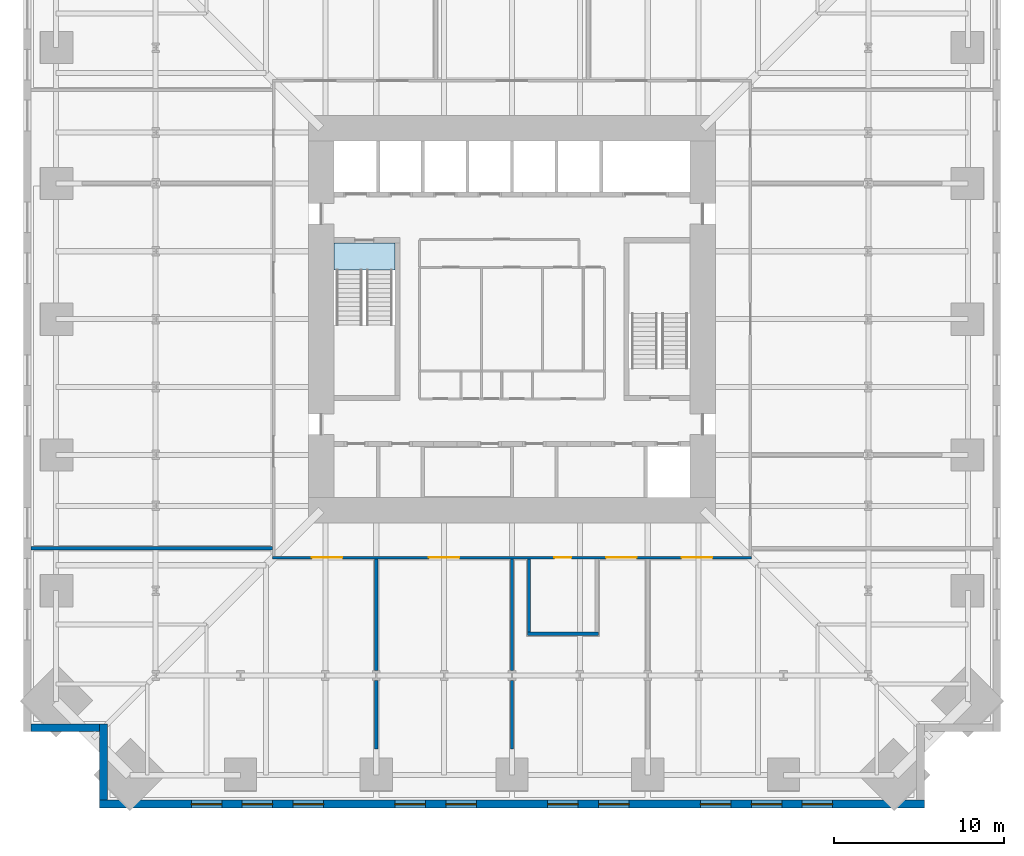
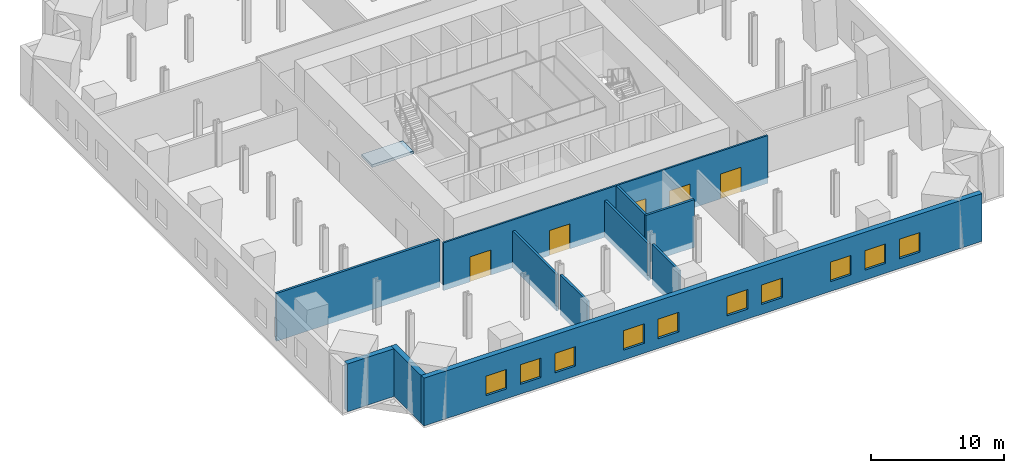
# One storey, part 3 of 9: 11 walls, 10 windows, 5 doors, 1 slab, 15 openings, 1 element without a shape of its own.
"""IFC4 building model written with IfcOpenShell, lengths in metres."""

from ifc_helpers import new_model, si_unit, direction, frame, frame_2d, origin, place, context, subcontext, project, spatial, polyline, rectangle, outline, extrude, material, layer, layer_set, type_object, element, fill, aggregate, save


model = new_model("IFC4")

# Units and contexts
model_context = context("Model", 3, precision=1e-05, world=origin(), true_north=direction((0.0, 1.0)))
body_context = subcontext(model_context, "Body", "Model", "MODEL_VIEW")
ifc_project = project(units=[si_unit("LENGTHUNIT", "METRE"), si_unit("AREAUNIT", "SQUARE_METRE"), si_unit("VOLUMEUNIT", "CUBIC_METRE"), si_unit("PLANEANGLEUNIT", "RADIAN"), si_unit("MASSUNIT", "GRAM", prefix="KILO")], contexts=[model_context])

# Site, building, storey
site_placement = place(None, origin())
site = spatial("IfcSite", under=ifc_project, at=site_placement, CompositionType="ELEMENT")
building_placement = place(site_placement, origin())
building = spatial("IfcBuilding", under=site, at=building_placement, Name="Peilmerk Tower", CompositionType="ELEMENT")
storey_placement = place(building_placement, frame((0.0, 0.0, 99.800048828125)))
storey = spatial("IfcBuildingStorey", under=building, at=storey_placement, Name="L19", CompositionType="ELEMENT", Elevation=99.800048828125)

# Stair, slab
ifc_material_1 = material(Name="Precast concrete C45/55", Category="concrete")
stair_type = type_object("IfcStairType", Name="ST1 26 risers of 176.9", PredefinedType="HALF_TURN_STAIR", material=ifc_material_1)
stair_placement = place(storey_placement, origin())
stair = element("IfcStair", 1, at=stair_placement, inside=storey, type_object=stair_type, Name="Stair 1 L19 to L20", PredefinedType="HALF_TURN_STAIR")
ifc_material_2 = material(Name="Concrete C35/45", Category="concrete")
ifc_layer_1 = layer(ifc_material_2, 0.25)
ifc_layer_set_1 = layer_set([ifc_layer_1], Name="Concrete C35/45")
slab_type = type_object("IfcSlabType", Name="SL2 250 concrete floor landing", PredefinedType="LANDING", material=ifc_layer_set_1)
slab_placement = place(storey_placement, frame((0.0, 0.0, -0.25)))
slab = element("IfcSlab", 2, at=slab_placement, type_object=slab_type, Name="ST1 floor landing", PredefinedType="LANDING", context=body_context, shape_type="SweptSolid", body=[
    extrude(outline(polyline([(-10.5, 2.89990234375), (-6.89990234375, 2.89990234375), (-6.89990234375, 4.5), (-10.5, 4.5), (-10.5, 2.89990234375)])), origin(), (0.0, 0.0, 1.0), 0.25),
])
aggregate(stair, [slab])

# Wall, openings, windows
ifc_material_3 = material(Name="Precast concrete C45/55, board-marked finish", Category="concrete")
ifc_layer_2 = layer(ifc_material_3, 0.449951171875)
ifc_layer_set_2 = layer_set([ifc_layer_2], Name="Precast concrete C45/55, board-marked finish")
wall_type_1 = type_object("IfcWallType", Name="EW1 450 precast concrete facade wall, board-marked", PredefinedType="SOLIDWALL", material=ifc_layer_set_2)
wall_1_placement = place(storey_placement, frame((-24.300048828125, -28.574951171875, 0.0), z_axis=(0.0, 0.0, 1.0), x_axis=(1.0, 0.0, 0.0)))
wall_1 = element("IfcWall", 3, at=wall_1_placement, inside=storey, type_object=wall_type_1, Name="Facade wall S L19", PredefinedType="SOLIDWALL", context=body_context, shape_type="SweptSolid", body=[
    extrude(rectangle(XDim=48.60009765625, YDim=0.449951171875, at=frame_2d((24.300048828125, 0.0))), origin(), (0.0, 0.0, 1.0), 4.39990234375),
])
opening_1_placement = place(wall_1_placement, frame((5.39990234375, 0.0, 0.89990234375)))
opening_1 = element("IfcOpeningElement", 4, at=opening_1_placement, cuts=wall_1, Name="Opening W3", PredefinedType="OPENING", context=body_context, shape_type="SweptSolid", body=[
    extrude(rectangle(XDim=1.800048828125, YDim=1.800048828125, at=frame_2d((0.89990234375, 0.89990234375))), frame((0.0, 0.23486328125, 0.0), z_axis=(0.0, -1.0, 0.0), x_axis=(1.0, 0.0, 0.0)), (0.0, 0.0, 1.0), 0.469970703125),
])
opening_2_placement = place(wall_1_placement, frame((8.39990234375, 0.0, 0.89990234375)))
opening_2 = element("IfcOpeningElement", 5, at=opening_2_placement, cuts=wall_1, Name="Opening W3", PredefinedType="OPENING", context=body_context, shape_type="SweptSolid", body=[
    extrude(rectangle(XDim=1.800048828125, YDim=1.800048828125, at=frame_2d((0.89990234375, 0.89990234375))), frame((0.0, 0.23486328125, 0.0), z_axis=(0.0, -1.0, 0.0), x_axis=(1.0, 0.0, 0.0)), (0.0, 0.0, 1.0), 0.469970703125),
])
opening_3_placement = place(wall_1_placement, frame((11.39990234375, 0.0, 0.89990234375)))
opening_3 = element("IfcOpeningElement", 6, at=opening_3_placement, cuts=wall_1, Name="Opening W3", PredefinedType="OPENING", context=body_context, shape_type="SweptSolid", body=[
    extrude(rectangle(XDim=1.800048828125, YDim=1.800048828125, at=frame_2d((0.89990234375, 0.89990234375))), frame((0.0, 0.23486328125, 0.0), z_axis=(0.0, -1.0, 0.0), x_axis=(1.0, 0.0, 0.0)), (0.0, 0.0, 1.0), 0.469970703125),
])
opening_4_placement = place(wall_1_placement, frame((17.39990234375, 0.0, 0.89990234375)))
opening_4 = element("IfcOpeningElement", 7, at=opening_4_placement, cuts=wall_1, Name="Opening W3", PredefinedType="OPENING", context=body_context, shape_type="SweptSolid", body=[
    extrude(rectangle(XDim=1.800048828125, YDim=1.800048828125, at=frame_2d((0.89990234375, 0.89990234375))), frame((0.0, 0.23486328125, 0.0), z_axis=(0.0, -1.0, 0.0), x_axis=(1.0, 0.0, 0.0)), (0.0, 0.0, 1.0), 0.469970703125),
])
opening_5_placement = place(wall_1_placement, frame((20.39990234375, 0.0, 0.89990234375)))
opening_5 = element("IfcOpeningElement", 8, at=opening_5_placement, cuts=wall_1, Name="Opening W3", PredefinedType="OPENING", context=body_context, shape_type="SweptSolid", body=[
    extrude(rectangle(XDim=1.800048828125, YDim=1.800048828125, at=frame_2d((0.89990234375, 0.89990234375))), frame((0.0, 0.23486328125, 0.0), z_axis=(0.0, -1.0, 0.0), x_axis=(1.0, 0.0, 0.0)), (0.0, 0.0, 1.0), 0.469970703125),
])
opening_6_placement = place(wall_1_placement, frame((26.39990234375, 0.0, 0.89990234375)))
opening_6 = element("IfcOpeningElement", 9, at=opening_6_placement, cuts=wall_1, Name="Opening W3", PredefinedType="OPENING", context=body_context, shape_type="SweptSolid", body=[
    extrude(rectangle(XDim=1.800048828125, YDim=1.800048828125, at=frame_2d((0.89990234375, 0.89990234375))), frame((0.0, 0.23486328125, 0.0), z_axis=(0.0, -1.0, 0.0), x_axis=(1.0, 0.0, 0.0)), (0.0, 0.0, 1.0), 0.469970703125),
])
opening_7_placement = place(wall_1_placement, frame((29.39990234375, 0.0, 0.89990234375)))
opening_7 = element("IfcOpeningElement", 10, at=opening_7_placement, cuts=wall_1, Name="Opening W3", PredefinedType="OPENING", context=body_context, shape_type="SweptSolid", body=[
    extrude(rectangle(XDim=1.800048828125, YDim=1.800048828125, at=frame_2d((0.89990234375, 0.89990234375))), frame((0.0, 0.23486328125, 0.0), z_axis=(0.0, -1.0, 0.0), x_axis=(1.0, 0.0, 0.0)), (0.0, 0.0, 1.0), 0.469970703125),
])
opening_8_placement = place(wall_1_placement, frame((35.39990234375, 0.0, 0.89990234375)))
opening_8 = element("IfcOpeningElement", 11, at=opening_8_placement, cuts=wall_1, Name="Opening W3", PredefinedType="OPENING", context=body_context, shape_type="SweptSolid", body=[
    extrude(rectangle(XDim=1.800048828125, YDim=1.800048828125, at=frame_2d((0.89990234375, 0.89990234375))), frame((0.0, 0.23486328125, 0.0), z_axis=(0.0, -1.0, 0.0), x_axis=(1.0, 0.0, 0.0)), (0.0, 0.0, 1.0), 0.469970703125),
])
opening_9_placement = place(wall_1_placement, frame((38.39990234375, 0.0, 0.89990234375)))
opening_9 = element("IfcOpeningElement", 12, at=opening_9_placement, cuts=wall_1, Name="Opening W3", PredefinedType="OPENING", context=body_context, shape_type="SweptSolid", body=[
    extrude(rectangle(XDim=1.800048828125, YDim=1.800048828125, at=frame_2d((0.89990234375, 0.89990234375))), frame((0.0, 0.23486328125, 0.0), z_axis=(0.0, -1.0, 0.0), x_axis=(1.0, 0.0, 0.0)), (0.0, 0.0, 1.0), 0.469970703125),
])
opening_10_placement = place(wall_1_placement, frame((41.39990234375, 0.0, 0.89990234375)))
opening_10 = element("IfcOpeningElement", 13, at=opening_10_placement, cuts=wall_1, Name="Opening W3", PredefinedType="OPENING", context=body_context, shape_type="SweptSolid", body=[
    extrude(rectangle(XDim=1.800048828125, YDim=1.800048828125, at=frame_2d((0.89990234375, 0.89990234375))), frame((0.0, 0.23486328125, 0.0), z_axis=(0.0, -1.0, 0.0), x_axis=(1.0, 0.0, 0.0)), (0.0, 0.0, 1.0), 0.469970703125),
])
ifc_material_4 = material(Name="Aluminium frame, clear double glazing", Category="aluminium")
window_type = type_object("IfcWindowType", Name="W3 1800x1800 telecom floor window", PartitioningType="SINGLE_PANEL", PredefinedType="WINDOW", material=ifc_material_4)
window_1_placement = place(opening_1_placement, origin())
window_1 = element("IfcWindow", 14, at=window_1_placement, inside=storey, type_object=window_type, Name="Window W3 L19", OverallHeight=1.800048828125, OverallWidth=1.800048828125, PartitioningType="SINGLE_PANEL", PredefinedType="WINDOW", context=body_context, shape_type="SweptSolid", body=[
    extrude(rectangle(XDim=1.800048828125, YDim=1.800048828125, at=frame_2d((0.89990234375, 0.89990234375))), frame((0.0, 0.030029296875, 0.0), z_axis=(0.0, -1.0, 0.0), x_axis=(1.0, 0.0, 0.0)), (0.0, 0.0, 1.0), 0.06005859375),
])
fill(opening_1, window_1)
window_2_placement = place(opening_2_placement, origin())
window_2 = element("IfcWindow", 15, at=window_2_placement, inside=storey, type_object=window_type, Name="Window W3 L19", OverallHeight=1.800048828125, OverallWidth=1.800048828125, PartitioningType="SINGLE_PANEL", PredefinedType="WINDOW", context=body_context, shape_type="SweptSolid", body=[
    extrude(rectangle(XDim=1.800048828125, YDim=1.800048828125, at=frame_2d((0.89990234375, 0.89990234375))), frame((0.0, 0.030029296875, 0.0), z_axis=(0.0, -1.0, 0.0), x_axis=(1.0, 0.0, 0.0)), (0.0, 0.0, 1.0), 0.06005859375),
])
fill(opening_2, window_2)
window_3_placement = place(opening_3_placement, origin())
window_3 = element("IfcWindow", 16, at=window_3_placement, inside=storey, type_object=window_type, Name="Window W3 L19", OverallHeight=1.800048828125, OverallWidth=1.800048828125, PartitioningType="SINGLE_PANEL", PredefinedType="WINDOW", context=body_context, shape_type="SweptSolid", body=[
    extrude(rectangle(XDim=1.800048828125, YDim=1.800048828125, at=frame_2d((0.89990234375, 0.89990234375))), frame((0.0, 0.030029296875, 0.0), z_axis=(0.0, -1.0, 0.0), x_axis=(1.0, 0.0, 0.0)), (0.0, 0.0, 1.0), 0.06005859375),
])
fill(opening_3, window_3)
window_4_placement = place(opening_4_placement, origin())
window_4 = element("IfcWindow", 17, at=window_4_placement, inside=storey, type_object=window_type, Name="Window W3 L19", OverallHeight=1.800048828125, OverallWidth=1.800048828125, PartitioningType="SINGLE_PANEL", PredefinedType="WINDOW", context=body_context, shape_type="SweptSolid", body=[
    extrude(rectangle(XDim=1.800048828125, YDim=1.800048828125, at=frame_2d((0.89990234375, 0.89990234375))), frame((0.0, 0.030029296875, 0.0), z_axis=(0.0, -1.0, 0.0), x_axis=(1.0, 0.0, 0.0)), (0.0, 0.0, 1.0), 0.06005859375),
])
fill(opening_4, window_4)
window_5_placement = place(opening_5_placement, origin())
window_5 = element("IfcWindow", 18, at=window_5_placement, inside=storey, type_object=window_type, Name="Window W3 L19", OverallHeight=1.800048828125, OverallWidth=1.800048828125, PartitioningType="SINGLE_PANEL", PredefinedType="WINDOW", context=body_context, shape_type="SweptSolid", body=[
    extrude(rectangle(XDim=1.800048828125, YDim=1.800048828125, at=frame_2d((0.89990234375, 0.89990234375))), frame((0.0, 0.030029296875, 0.0), z_axis=(0.0, -1.0, 0.0), x_axis=(1.0, 0.0, 0.0)), (0.0, 0.0, 1.0), 0.06005859375),
])
fill(opening_5, window_5)
window_6_placement = place(opening_6_placement, origin())
window_6 = element("IfcWindow", 19, at=window_6_placement, inside=storey, type_object=window_type, Name="Window W3 L19", OverallHeight=1.800048828125, OverallWidth=1.800048828125, PartitioningType="SINGLE_PANEL", PredefinedType="WINDOW", context=body_context, shape_type="SweptSolid", body=[
    extrude(rectangle(XDim=1.800048828125, YDim=1.800048828125, at=frame_2d((0.89990234375, 0.89990234375))), frame((0.0, 0.030029296875, 0.0), z_axis=(0.0, -1.0, 0.0), x_axis=(1.0, 0.0, 0.0)), (0.0, 0.0, 1.0), 0.06005859375),
])
fill(opening_6, window_6)
window_7_placement = place(opening_7_placement, origin())
window_7 = element("IfcWindow", 20, at=window_7_placement, inside=storey, type_object=window_type, Name="Window W3 L19", OverallHeight=1.800048828125, OverallWidth=1.800048828125, PartitioningType="SINGLE_PANEL", PredefinedType="WINDOW", context=body_context, shape_type="SweptSolid", body=[
    extrude(rectangle(XDim=1.800048828125, YDim=1.800048828125, at=frame_2d((0.89990234375, 0.89990234375))), frame((0.0, 0.030029296875, 0.0), z_axis=(0.0, -1.0, 0.0), x_axis=(1.0, 0.0, 0.0)), (0.0, 0.0, 1.0), 0.06005859375),
])
fill(opening_7, window_7)
window_8_placement = place(opening_8_placement, origin())
window_8 = element("IfcWindow", 21, at=window_8_placement, inside=storey, type_object=window_type, Name="Window W3 L19", OverallHeight=1.800048828125, OverallWidth=1.800048828125, PartitioningType="SINGLE_PANEL", PredefinedType="WINDOW", context=body_context, shape_type="SweptSolid", body=[
    extrude(rectangle(XDim=1.800048828125, YDim=1.800048828125, at=frame_2d((0.89990234375, 0.89990234375))), frame((0.0, 0.030029296875, 0.0), z_axis=(0.0, -1.0, 0.0), x_axis=(1.0, 0.0, 0.0)), (0.0, 0.0, 1.0), 0.06005859375),
])
fill(opening_8, window_8)
window_9_placement = place(opening_9_placement, origin())
window_9 = element("IfcWindow", 22, at=window_9_placement, inside=storey, type_object=window_type, Name="Window W3 L19", OverallHeight=1.800048828125, OverallWidth=1.800048828125, PartitioningType="SINGLE_PANEL", PredefinedType="WINDOW", context=body_context, shape_type="SweptSolid", body=[
    extrude(rectangle(XDim=1.800048828125, YDim=1.800048828125, at=frame_2d((0.89990234375, 0.89990234375))), frame((0.0, 0.030029296875, 0.0), z_axis=(0.0, -1.0, 0.0), x_axis=(1.0, 0.0, 0.0)), (0.0, 0.0, 1.0), 0.06005859375),
])
fill(opening_9, window_9)
window_10_placement = place(opening_10_placement, origin())
window_10 = element("IfcWindow", 23, at=window_10_placement, inside=storey, type_object=window_type, Name="Window W3 L19", OverallHeight=1.800048828125, OverallWidth=1.800048828125, PartitioningType="SINGLE_PANEL", PredefinedType="WINDOW", context=body_context, shape_type="SweptSolid", body=[
    extrude(rectangle(XDim=1.800048828125, YDim=1.800048828125, at=frame_2d((0.89990234375, 0.89990234375))), frame((0.0, 0.030029296875, 0.0), z_axis=(0.0, -1.0, 0.0), x_axis=(1.0, 0.0, 0.0)), (0.0, 0.0, 1.0), 0.06005859375),
])
fill(opening_10, window_10)

# Walls
wall_2_placement = place(storey_placement, frame((-24.074951171875, -23.85009765625, 0.0), z_axis=(0.0, 0.0, 1.0), x_axis=(0.0, -1.0, 0.0)))
element("IfcWall", 24, at=wall_2_placement, inside=storey, type_object=wall_type_1, Name="Facade wall SWA L19", PredefinedType="SOLIDWALL", context=body_context, shape_type="SweptSolid", body=[
    extrude(rectangle(XDim=4.5, YDim=0.449951171875, at=frame_2d((2.25, 0.0))), origin(), (0.0, 0.0, 1.0), 4.39990234375),
])
wall_3_placement = place(storey_placement, frame((-24.300048828125, -24.074951171875, 0.0), z_axis=(0.0, 0.0, 1.0), x_axis=(-1.0, 0.0, 0.0)))
element("IfcWall", 25, at=wall_3_placement, inside=storey, type_object=wall_type_1, Name="Facade wall SWB L19", PredefinedType="SOLIDWALL", context=body_context, shape_type="SweptSolid", body=[
    extrude(rectangle(XDim=4.050048828125, YDim=0.449951171875, at=frame_2d((2.02490234375, 0.0))), origin(), (0.0, 0.0, 1.0), 4.39990234375),
])

# Wall, openings, doors
ifc_material_5 = material(Name="Calcium silicate block", Category="masonry")
ifc_layer_3 = layer(ifc_material_5, 0.14990234375)
ifc_layer_set_3 = layer_set([ifc_layer_3], Name="Calcium silicate block")
wall_type_2 = type_object("IfcWallType", Name="IW1 150 corridor partition, EI 60", PredefinedType="PARTITIONING", material=ifc_layer_set_3)
wall_4_placement = place(storey_placement, frame((14.125, -14.050048828125, 0.0), z_axis=(0.0, 0.0, 1.0), x_axis=(-1.0, 0.0, 0.0)))
wall_4 = element("IfcWall", 26, at=wall_4_placement, inside=storey, type_object=wall_type_2, Name="Corridor wall S L19", PredefinedType="PARTITIONING", context=body_context, shape_type="SweptSolid", body=[
    extrude(rectangle(XDim=28.25, YDim=0.14990234375, at=frame_2d((14.125, 0.0))), origin(), (0.0, 0.0, 1.0), 4.39990234375),
])
opening_11_placement = place(wall_4_placement, frame((24.125, 0.0, 0.0)))
opening_11 = element("IfcOpeningElement", 27, at=opening_11_placement, cuts=wall_4, Name="Opening D2", PredefinedType="OPENING", context=body_context, shape_type="SweptSolid", body=[
    extrude(rectangle(XDim=1.800048828125, YDim=2.300048828125, at=frame_2d((0.89990234375, 1.14990234375))), frame((0.0, 0.0849609375, 0.0), z_axis=(0.0, -1.0, 0.0), x_axis=(1.0, 0.0, 0.0)), (0.0, 0.0, 1.0), 0.169921875),
])
opening_12_placement = place(wall_4_placement, frame((17.22509765625, 0.0, 0.0)))
opening_12 = element("IfcOpeningElement", 28, at=opening_12_placement, cuts=wall_4, Name="Opening D2", PredefinedType="OPENING", context=body_context, shape_type="SweptSolid", body=[
    extrude(rectangle(XDim=1.800048828125, YDim=2.300048828125, at=frame_2d((0.89990234375, 1.14990234375))), frame((0.0, 0.0849609375, 0.0), z_axis=(0.0, -1.0, 0.0), x_axis=(1.0, 0.0, 0.0)), (0.0, 0.0, 1.0), 0.169921875),
])
opening_13_placement = place(wall_4_placement, frame((6.77490234375, 0.0, 0.0)))
opening_13 = element("IfcOpeningElement", 29, at=opening_13_placement, cuts=wall_4, Name="Opening D2", PredefinedType="OPENING", context=body_context, shape_type="SweptSolid", body=[
    extrude(rectangle(XDim=1.800048828125, YDim=2.300048828125, at=frame_2d((0.89990234375, 1.14990234375))), frame((0.0, 0.0849609375, 0.0), z_axis=(0.0, -1.0, 0.0), x_axis=(1.0, 0.0, 0.0)), (0.0, 0.0, 1.0), 0.169921875),
])
opening_14_placement = place(wall_4_placement, frame((2.324951171875, 0.0, 0.0)))
opening_14 = element("IfcOpeningElement", 30, at=opening_14_placement, cuts=wall_4, Name="Opening D2", PredefinedType="OPENING", context=body_context, shape_type="SweptSolid", body=[
    extrude(rectangle(XDim=1.800048828125, YDim=2.300048828125, at=frame_2d((0.89990234375, 1.14990234375))), frame((0.0, 0.0849609375, 0.0), z_axis=(0.0, -1.0, 0.0), x_axis=(1.0, 0.0, 0.0)), (0.0, 0.0, 1.0), 0.169921875),
])
opening_15_placement = place(wall_4_placement, frame((10.625, 0.0, 0.0)))
opening_15 = element("IfcOpeningElement", 31, at=opening_15_placement, cuts=wall_4, Name="Opening D1", PredefinedType="OPENING", context=body_context, shape_type="SweptSolid", body=[
    extrude(rectangle(XDim=1.0, YDim=2.300048828125, at=frame_2d((0.5, 1.14990234375))), frame((0.0, 0.0849609375, 0.0), z_axis=(0.0, -1.0, 0.0), x_axis=(1.0, 0.0, 0.0)), (0.0, 0.0, 1.0), 0.169921875),
])
ifc_material_6 = material(Name="Timber door in steel frame", Category="steel")
door_type_1 = type_object("IfcDoorType", Name="D1 1000x2300 room door, EI2 30", OperationType="SINGLE_SWING_LEFT", PredefinedType="DOOR", material=ifc_material_6)
door_1_placement = place(opening_15_placement, origin())
door_1 = element("IfcDoor", 32, at=door_1_placement, inside=storey, type_object=door_type_1, Name="Door Operations office L19", OperationType="SINGLE_SWING_LEFT", OverallHeight=2.300048828125, OverallWidth=1.0, PredefinedType="DOOR", context=body_context, shape_type="SweptSolid", body=[
    extrude(rectangle(XDim=1.0, YDim=2.300048828125, at=frame_2d((0.5, 1.14990234375))), frame((0.0, 0.02490234375, 0.0), z_axis=(0.0, -1.0, 0.0), x_axis=(1.0, 0.0, 0.0)), (0.0, 0.0, 1.0), 0.050048828125),
])
fill(opening_15, door_1)
ifc_material_7 = material(Name="Steel door in steel frame", Category="steel")
door_type_2 = type_object("IfcDoorType", Name="D2 1800x2300 double door, EI2 60", OperationType="DOUBLE_DOOR_DOUBLE_SWING", PredefinedType="DOOR", material=ifc_material_7)
door_2_placement = place(opening_11_placement, origin())
door_2 = element("IfcDoor", 33, at=door_2_placement, inside=storey, type_object=door_type_2, Name="Door Telecom equipment room D L19", OperationType="DOUBLE_DOOR_DOUBLE_SWING", OverallHeight=2.300048828125, OverallWidth=1.800048828125, PredefinedType="DOOR", context=body_context, shape_type="SweptSolid", body=[
    extrude(rectangle(XDim=1.800048828125, YDim=2.300048828125, at=frame_2d((0.89990234375, 1.14990234375))), frame((0.0, 0.02490234375, 0.0), z_axis=(0.0, -1.0, 0.0), x_axis=(1.0, 0.0, 0.0)), (0.0, 0.0, 1.0), 0.050048828125),
])
fill(opening_11, door_2)
door_3_placement = place(opening_12_placement, origin())
door_3 = element("IfcDoor", 34, at=door_3_placement, inside=storey, type_object=door_type_2, Name="Door Transmission room A L19", OperationType="DOUBLE_DOOR_DOUBLE_SWING", OverallHeight=2.300048828125, OverallWidth=1.800048828125, PredefinedType="DOOR", context=body_context, shape_type="SweptSolid", body=[
    extrude(rectangle(XDim=1.800048828125, YDim=2.300048828125, at=frame_2d((0.89990234375, 1.14990234375))), frame((0.0, 0.02490234375, 0.0), z_axis=(0.0, -1.0, 0.0), x_axis=(1.0, 0.0, 0.0)), (0.0, 0.0, 1.0), 0.050048828125),
])
fill(opening_12, door_3)
door_4_placement = place(opening_13_placement, origin())
door_4 = element("IfcDoor", 35, at=door_4_placement, inside=storey, type_object=door_type_2, Name="Door Transmission room B L19", OperationType="DOUBLE_DOOR_DOUBLE_SWING", OverallHeight=2.300048828125, OverallWidth=1.800048828125, PredefinedType="DOOR", context=body_context, shape_type="SweptSolid", body=[
    extrude(rectangle(XDim=1.800048828125, YDim=2.300048828125, at=frame_2d((0.89990234375, 1.14990234375))), frame((0.0, 0.02490234375, 0.0), z_axis=(0.0, -1.0, 0.0), x_axis=(1.0, 0.0, 0.0)), (0.0, 0.0, 1.0), 0.050048828125),
])
fill(opening_13, door_4)
door_5_placement = place(opening_14_placement, origin())
door_5 = element("IfcDoor", 36, at=door_5_placement, inside=storey, type_object=door_type_2, Name="Door Telecom equipment room E L19", OperationType="DOUBLE_DOOR_DOUBLE_SWING", OverallHeight=2.300048828125, OverallWidth=1.800048828125, PredefinedType="DOOR", context=body_context, shape_type="SweptSolid", body=[
    extrude(rectangle(XDim=1.800048828125, YDim=2.300048828125, at=frame_2d((0.89990234375, 1.14990234375))), frame((0.0, 0.02490234375, 0.0), z_axis=(0.0, -1.0, 0.0), x_axis=(1.0, 0.0, 0.0)), (0.0, 0.0, 1.0), 0.050048828125),
])
fill(opening_14, door_5)

# Walls
ifc_layer_4 = layer(ifc_material_5, 0.199951171875)
ifc_layer_set_4 = layer_set([ifc_layer_4], Name="Calcium silicate block")
wall_type_3 = type_object("IfcWallType", Name="IW2 200 room separating wall, EI 120", PredefinedType="PARTITIONING", material=ifc_layer_set_4)
wall_5_placement = place(storey_placement, frame((-14.125, -13.5, 0.0), z_axis=(0.0, 0.0, 1.0), x_axis=(-1.0, 0.0, 0.0)))
element("IfcWall", 37, at=wall_5_placement, inside=storey, type_object=wall_type_3, Name="Room separating wall SW L19", PredefinedType="PARTITIONING", context=body_context, shape_type="SweptSolid", body=[
    extrude(rectangle(XDim=14.22509765625, YDim=0.199951171875, at=frame_2d((7.112548828125, 0.0))), origin(), (0.0, 0.0, 1.0), 4.39990234375),
])
wall_6_placement = place(storey_placement, frame((-8.0, -14.125, 0.0), z_axis=(0.0, 0.0, 1.0), x_axis=(0.0, -1.0, 0.0)))
element("IfcWall", 38, at=wall_6_placement, inside=storey, type_object=wall_type_3, Name="Room separating wall S1 L19", PredefinedType="PARTITIONING", context=body_context, shape_type="SweptSolid", body=[
    extrude(rectangle(XDim=6.590576171875, YDim=0.199951171875, at=frame_2d((3.29541015625, 0.0))), origin(), (0.0, 0.0, 1.0), 3.391845703125),
])
wall_7_placement = place(storey_placement, frame((-8.0, -21.284423828125, 0.0), z_axis=(0.0, 0.0, 1.0), x_axis=(0.0, -1.0, 0.0)))
element("IfcWall", 39, at=wall_7_placement, inside=storey, type_object=wall_type_3, Name="Room separating wall S1b L19", PredefinedType="PARTITIONING", context=body_context, shape_type="SweptSolid", body=[
    extrude(rectangle(XDim=4.05908203125, YDim=0.199951171875, at=frame_2d((2.029541015625, 0.0))), origin(), (0.0, 0.0, 1.0), 3.7099609375),
])
wall_8_placement = place(storey_placement, frame((0.0, -14.125, 0.0), z_axis=(0.0, 0.0, 1.0), x_axis=(0.0, -1.0, 0.0)))
element("IfcWall", 40, at=wall_8_placement, inside=storey, type_object=wall_type_3, Name="Room separating wall S2 L19", PredefinedType="PARTITIONING", context=body_context, shape_type="SweptSolid", body=[
    extrude(rectangle(XDim=6.590576171875, YDim=0.199951171875, at=frame_2d((3.29541015625, 0.0))), origin(), (0.0, 0.0, 1.0), 3.391845703125),
])
wall_9_placement = place(storey_placement, frame((0.0, -21.284423828125, 0.0), z_axis=(0.0, 0.0, 1.0), x_axis=(0.0, -1.0, 0.0)))
element("IfcWall", 41, at=wall_9_placement, inside=storey, type_object=wall_type_3, Name="Room separating wall S2b L19", PredefinedType="PARTITIONING", context=body_context, shape_type="SweptSolid", body=[
    extrude(rectangle(XDim=4.05908203125, YDim=0.199951171875, at=frame_2d((2.029541015625, 0.0))), origin(), (0.0, 0.0, 1.0), 3.7099609375),
])
wall_10_placement = place(storey_placement, frame((0.89990234375, -18.550048828125, 0.0), z_axis=(0.0, 0.0, 1.0), x_axis=(1.0, 0.0, 0.0)))
element("IfcWall", 42, at=wall_10_placement, inside=storey, type_object=wall_type_3, Name="Room separating wall Operations office L19", PredefinedType="PARTITIONING", context=body_context, shape_type="SweptSolid", body=[
    extrude(rectangle(XDim=4.2001953125, YDim=0.199951171875, at=frame_2d((2.10009765625, 0.0))), origin(), (0.0, 0.0, 1.0), 4.39990234375),
])
wall_11_placement = place(storey_placement, frame((1.0, -14.125, 0.0), z_axis=(0.0, 0.0, 1.0), x_axis=(0.0, -1.0, 0.0)))
element("IfcWall", 43, at=wall_11_placement, inside=storey, type_object=wall_type_3, Name="Room separating wall Operations office L19", PredefinedType="PARTITIONING", context=body_context, shape_type="SweptSolid", body=[
    extrude(rectangle(XDim=4.324951171875, YDim=0.199951171875, at=frame_2d((2.16259765625, 0.0))), origin(), (0.0, 0.0, 1.0), 4.39990234375),
])

save(model, "model.ifc")
